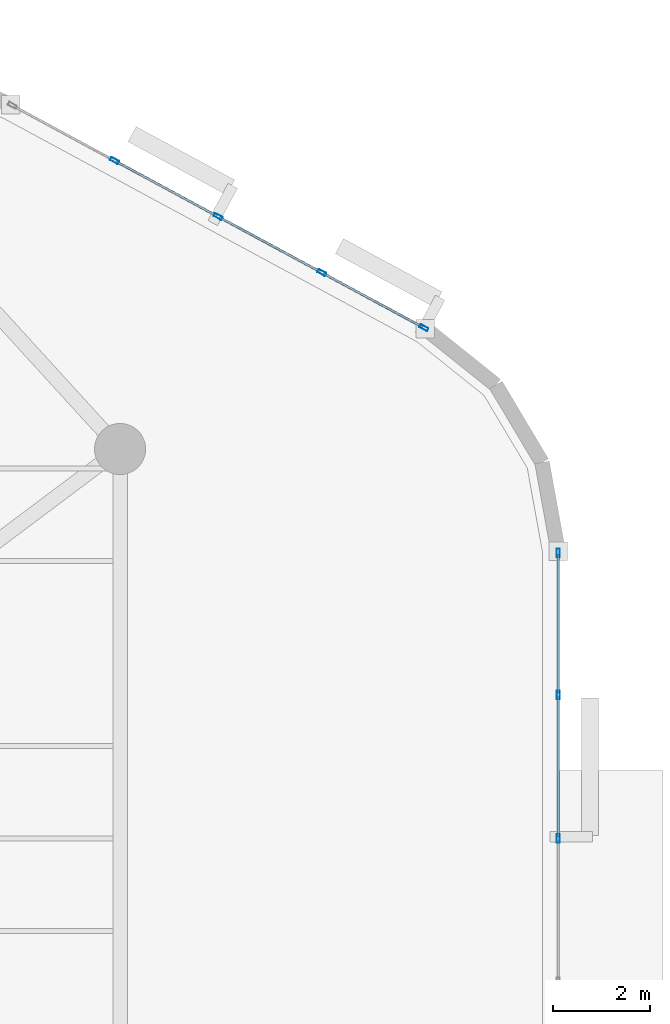
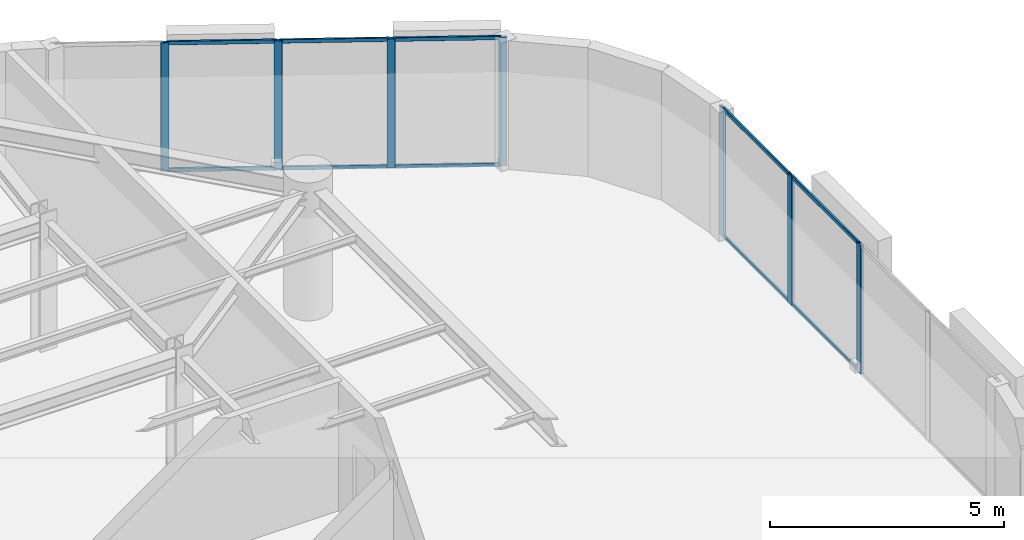
# One storey, part 6 of 13: 17 members, 2 elements without a shape of their own.
"""IFC4 building model written with IfcOpenShell, lengths in metres."""

from ifc_helpers import new_model, si_unit, direction, frame, origin, origin_2d, place, context, subcontext, project, spatial, hollow_rectangle, extrude, material, layer, layer_set, material_profile, profile_set, type_object, element, aggregate, save


model = new_model("IFC4")

# Units and contexts
model_context = context("Model", 3, precision=1e-05, world=origin(), true_north=direction((0.0, 1.0)))
body_context = subcontext(model_context, "Body", "Model", "MODEL_VIEW")
ifc_project = project(units=[si_unit("LENGTHUNIT", "METRE"), si_unit("AREAUNIT", "SQUARE_METRE"), si_unit("VOLUMEUNIT", "CUBIC_METRE"), si_unit("PLANEANGLEUNIT", "RADIAN"), si_unit("MASSUNIT", "GRAM", prefix="KILO")], contexts=[model_context])

# Site, building, storey
site_placement = place(None, origin())
site = spatial("IfcSite", under=ifc_project, at=site_placement, CompositionType="ELEMENT")
building_placement = place(site_placement, origin())
building = spatial("IfcBuilding", under=site, at=building_placement, Name="An Khanh Terracotta Commons", CompositionType="ELEMENT")
storey_placement = place(building_placement, frame((0.0, 0.0, 244.5)))
storey = spatial("IfcBuildingStorey", under=building, at=storey_placement, Name="L64", CompositionType="ELEMENT", Elevation=244.5)

# Curtain wall, members
ifc_material = material(Name="Anodised Aluminium 6063-T6", Category="aluminium")
ifc_layer = layer(ifc_material, 0.2099609375, Name="Anodised Aluminium 6063-T6")
ifc_layer_set = layer_set([ifc_layer], Name="Anodised Aluminium 6063-T6")
curtain_wall_type = type_object("IfcCurtainWallType", Name="CW-SYS-03", PredefinedType="USERDEFINED", material=ifc_layer_set)
curtain_wall_1_placement = place(storey_placement, origin())
curtain_wall_1 = element("IfcCurtainWall", 1, at=curtain_wall_1_placement, inside=storey, type_object=curtain_wall_type, Name="L64 CW-03 Unitised Curtain Wall CW-L64-12", ObjectType="UNITISED CURTAIN WALL", PredefinedType="USERDEFINED")
ifc_material_profile_1 = material_profile(ifc_material, hollow_rectangle(XDim=0.070068359375, YDim=0.179931640625, WallThickness=0.00390625, InnerFilletRadius=0.00390625, OuterFilletRadius=0.008056640625, at=origin_2d()), Name="RHS180x70x4")
ifc_profile_set_1 = profile_set([ifc_material_profile_1], Name="Anodised Aluminium 6063-T6")
member_type_1 = type_object("IfcMemberType", Name="CWM-RHS180x70x4", PredefinedType="MULLION", material=ifc_profile_set_1)
member_1_placement = place(storey_placement, frame((68.60009765625, 24.0, 0.0), z_axis=(0.0, 0.0, 1.0), x_axis=(-1.0, 0.0, 0.0)))
member_1 = element("IfcMember", 2, at=member_1_placement, type_object=member_type_1, Name="CW-03 mullion 3", PredefinedType="MULLION", context=body_context, shape_type="SweptSolid", body=[
    extrude(hollow_rectangle(XDim=0.070068359375, YDim=0.179931640625, WallThickness=0.00390625, InnerFilletRadius=0.00390625, OuterFilletRadius=0.008056640625, at=origin_2d()), origin(), (0.0, 0.0, 1.0), 3.360107421875),
])
member_2_placement = place(storey_placement, frame((68.60009765625, 26.949462890625, 0.0), z_axis=(0.0, 0.0, 1.0), x_axis=(-1.0, 0.0, 0.0)))
member_2 = element("IfcMember", 3, at=member_2_placement, type_object=member_type_1, Name="CW-03 mullion 4", PredefinedType="MULLION", context=body_context, shape_type="SweptSolid", body=[
    extrude(hollow_rectangle(XDim=0.070068359375, YDim=0.179931640625, WallThickness=0.00390625, InnerFilletRadius=0.00390625, OuterFilletRadius=0.008056640625, at=origin_2d()), origin(), (0.0, 0.0, 1.0), 3.360107421875),
])
member_3_placement = place(storey_placement, frame((68.60009765625, 29.864013671875, 0.0), z_axis=(0.0, 0.0, 1.0), x_axis=(-1.0, 0.0, 0.0)))
member_3 = element("IfcMember", 4, at=member_3_placement, type_object=member_type_1, Name="CW-03 mullion 5", PredefinedType="MULLION", context=body_context, shape_type="SweptSolid", body=[
    extrude(hollow_rectangle(XDim=0.070068359375, YDim=0.179931640625, WallThickness=0.00390625, InnerFilletRadius=0.00390625, OuterFilletRadius=0.008056640625, at=origin_2d()), origin(), (0.0, 0.0, 1.0), 3.360107421875),
])

curtain_wall_2_placement = place(storey_placement, origin())
curtain_wall_2 = element("IfcCurtainWall", 5, at=curtain_wall_2_placement, inside=storey, type_object=curtain_wall_type, Name="L64 CW-03 Unitised Curtain Wall CW-L64-16", ObjectType="UNITISED CURTAIN WALL", PredefinedType="USERDEFINED")
member_4_placement = place(storey_placement, frame((65.84130859375, 34.49072265625, 0.0), z_axis=(0.0, 0.0, 1.0), x_axis=(-0.47538088298, -0.879780095306, 0.0)))
member_4 = element("IfcMember", 6, at=member_4_placement, type_object=member_type_1, Name="CW-03 mullion 1", PredefinedType="MULLION", context=body_context, shape_type="SweptSolid", body=[
    extrude(hollow_rectangle(XDim=0.070068359375, YDim=0.179931640625, WallThickness=0.00390625, InnerFilletRadius=0.00390625, OuterFilletRadius=0.008056640625, at=origin_2d()), origin(), (0.0, 0.0, 1.0), 3.360107421875),
])
member_5_placement = place(storey_placement, frame((63.7431640625, 35.624267578125, 0.0), z_axis=(0.0, 0.0, 1.0), x_axis=(-0.47538088298, -0.879780095306, 0.0)))
member_5 = element("IfcMember", 7, at=member_5_placement, type_object=member_type_1, Name="CW-03 mullion 2", PredefinedType="MULLION", context=body_context, shape_type="SweptSolid", body=[
    extrude(hollow_rectangle(XDim=0.070068359375, YDim=0.179931640625, WallThickness=0.00390625, InnerFilletRadius=0.00390625, OuterFilletRadius=0.008056640625, at=origin_2d()), origin(), (0.0, 0.0, 1.0), 3.360107421875),
])
member_6_placement = place(storey_placement, frame((61.614501953125, 36.7744140625, 0.0), z_axis=(0.0, 0.0, 1.0), x_axis=(-0.47538088298, -0.879780095306, 0.0)))
member_6 = element("IfcMember", 8, at=member_6_placement, type_object=member_type_1, Name="CW-03 mullion 3", PredefinedType="MULLION", context=body_context, shape_type="SweptSolid", body=[
    extrude(hollow_rectangle(XDim=0.070068359375, YDim=0.179931640625, WallThickness=0.00390625, InnerFilletRadius=0.00390625, OuterFilletRadius=0.008056640625, at=origin_2d()), origin(), (0.0, 0.0, 1.0), 3.360107421875),
])
member_7_placement = place(storey_placement, frame((59.48583984375, 37.9248046875, 0.0), z_axis=(0.0, 0.0, 1.0), x_axis=(-0.47538088298, -0.879780095306, 0.0)))
member_7 = element("IfcMember", 9, at=member_7_placement, type_object=member_type_1, Name="CW-03 mullion 4", PredefinedType="MULLION", context=body_context, shape_type="SweptSolid", body=[
    extrude(hollow_rectangle(XDim=0.070068359375, YDim=0.179931640625, WallThickness=0.00390625, InnerFilletRadius=0.00390625, OuterFilletRadius=0.008056640625, at=origin_2d()), origin(), (0.0, 0.0, 1.0), 3.360107421875),
])

# Member
ifc_material_profile_2 = material_profile(ifc_material, hollow_rectangle(XDim=0.050048828125, YDim=0.10009765625, WallThickness=0.003173828125, InnerFilletRadius=0.003173828125, OuterFilletRadius=0.00634765625, at=origin_2d()), Name="RHS100x50x3.2")
ifc_profile_set_2 = profile_set([ifc_material_profile_2], Name="Anodised Aluminium 6063-T6")
member_type_2 = type_object("IfcMemberType", Name="CWT-RHS100x50x3.2", PredefinedType="USERDEFINED", material=ifc_profile_set_2)
member_8_placement = place(storey_placement, frame((68.60009765625, 24.034912109375, 0.02490234375), z_axis=(0.0, 1.0, 0.0), x_axis=(-1.0, 0.0, 0.0)))
member_8 = element("IfcMember", 10, at=member_8_placement, type_object=member_type_2, Name="CW-03 transom 3.1", ObjectType="TRANSOM", PredefinedType="USERDEFINED", context=body_context, shape_type="SweptSolid", body=[
    extrude(hollow_rectangle(XDim=0.050048828125, YDim=0.10009765625, WallThickness=0.003173828125, InnerFilletRadius=0.003173828125, OuterFilletRadius=0.00634765625, at=origin_2d()), origin(), (0.0, 0.0, 1.0), 2.879638671875),
])

member_9_placement = place(storey_placement, frame((68.60009765625, 24.034912109375, 3.3349609375), z_axis=(0.0, 1.0, 0.0), x_axis=(-1.0, 0.0, 0.0)))
member_9 = element("IfcMember", 11, at=member_9_placement, type_object=member_type_2, Name="CW-03 transom 3.2", ObjectType="TRANSOM", PredefinedType="USERDEFINED", context=body_context, shape_type="SweptSolid", body=[
    extrude(hollow_rectangle(XDim=0.050048828125, YDim=0.10009765625, WallThickness=0.003173828125, InnerFilletRadius=0.003173828125, OuterFilletRadius=0.00634765625, at=origin_2d()), origin(), (0.0, 0.0, 1.0), 2.879638671875),
])

member_10_placement = place(storey_placement, frame((68.60009765625, 26.984619140625, 0.02490234375), z_axis=(0.0, 1.0, 0.0), x_axis=(-1.0, 0.0, 0.0)))
member_10 = element("IfcMember", 12, at=member_10_placement, type_object=member_type_2, Name="CW-03 transom 4.1", ObjectType="TRANSOM", PredefinedType="USERDEFINED", context=body_context, shape_type="SweptSolid", body=[
    extrude(hollow_rectangle(XDim=0.050048828125, YDim=0.10009765625, WallThickness=0.003173828125, InnerFilletRadius=0.003173828125, OuterFilletRadius=0.00634765625, at=origin_2d()), origin(), (0.0, 0.0, 1.0), 2.844482421875),
])

member_11_placement = place(storey_placement, frame((68.60009765625, 26.984619140625, 3.3349609375), z_axis=(0.0, 1.0, 0.0), x_axis=(-1.0, 0.0, 0.0)))
member_11 = element("IfcMember", 13, at=member_11_placement, type_object=member_type_2, Name="CW-03 transom 4.2", ObjectType="TRANSOM", PredefinedType="USERDEFINED", context=body_context, shape_type="SweptSolid", body=[
    extrude(hollow_rectangle(XDim=0.050048828125, YDim=0.10009765625, WallThickness=0.003173828125, InnerFilletRadius=0.003173828125, OuterFilletRadius=0.00634765625, at=origin_2d()), origin(), (0.0, 0.0, 1.0), 2.844482421875),
])

aggregate(curtain_wall_1, [member_1, member_2, member_3, member_8, member_9, member_10, member_11])

member_12_placement = place(storey_placement, frame((65.810302734375, 34.50732421875, 0.02490234375), z_axis=(-0.879779245677, 0.475382455373, 0.0), x_axis=(-0.475382455373, -0.879779245677, 0.0)))
member_12 = element("IfcMember", 14, at=member_12_placement, type_object=member_type_2, Name="CW-03 transom 1.1", ObjectType="TRANSOM", PredefinedType="USERDEFINED", context=body_context, shape_type="SweptSolid", body=[
    extrude(hollow_rectangle(XDim=0.050048828125, YDim=0.10009765625, WallThickness=0.003173828125, InnerFilletRadius=0.003173828125, OuterFilletRadius=0.00634765625, at=origin_2d()), origin(), (0.0, 0.0, 1.0), 2.314697265625),
])

member_13_placement = place(storey_placement, frame((65.810302734375, 34.50732421875, 3.3349609375), z_axis=(-0.879779245677, 0.475382455373, 0.0), x_axis=(-0.475382455373, -0.879779245677, 0.0)))
member_13 = element("IfcMember", 15, at=member_13_placement, type_object=member_type_2, Name="CW-03 transom 1.2", ObjectType="TRANSOM", PredefinedType="USERDEFINED", context=body_context, shape_type="SweptSolid", body=[
    extrude(hollow_rectangle(XDim=0.050048828125, YDim=0.10009765625, WallThickness=0.003173828125, InnerFilletRadius=0.003173828125, OuterFilletRadius=0.00634765625, at=origin_2d()), origin(), (0.0, 0.0, 1.0), 2.314697265625),
])

member_14_placement = place(storey_placement, frame((63.71240234375, 35.640869140625, 0.02490234375), z_axis=(-0.879782861449, 0.475375763686, 0.0), x_axis=(-0.475375763686, -0.879782861449, 0.0)))
member_14 = element("IfcMember", 16, at=member_14_placement, type_object=member_type_2, Name="CW-03 transom 2.1", ObjectType="TRANSOM", PredefinedType="USERDEFINED", context=body_context, shape_type="SweptSolid", body=[
    extrude(hollow_rectangle(XDim=0.050048828125, YDim=0.10009765625, WallThickness=0.003173828125, InnerFilletRadius=0.003173828125, OuterFilletRadius=0.00634765625, at=origin_2d()), origin(), (0.0, 0.0, 1.0), 2.349609375),
])

member_15_placement = place(storey_placement, frame((63.71240234375, 35.640869140625, 3.3349609375), z_axis=(-0.879782861449, 0.475375763686, 0.0), x_axis=(-0.475375763686, -0.879782861449, 0.0)))
member_15 = element("IfcMember", 17, at=member_15_placement, type_object=member_type_2, Name="CW-03 transom 2.2", ObjectType="TRANSOM", PredefinedType="USERDEFINED", context=body_context, shape_type="SweptSolid", body=[
    extrude(hollow_rectangle(XDim=0.050048828125, YDim=0.10009765625, WallThickness=0.003173828125, InnerFilletRadius=0.003173828125, OuterFilletRadius=0.00634765625, at=origin_2d()), origin(), (0.0, 0.0, 1.0), 2.349609375),
])

member_16_placement = place(storey_placement, frame((61.583740234375, 36.791259765625, 0.02490234375), z_axis=(-0.879782861449, 0.475375763686, 0.0), x_axis=(-0.475375763686, -0.879782861449, 0.0)))
member_16 = element("IfcMember", 18, at=member_16_placement, type_object=member_type_2, Name="CW-03 transom 3.1", ObjectType="TRANSOM", PredefinedType="USERDEFINED", context=body_context, shape_type="SweptSolid", body=[
    extrude(hollow_rectangle(XDim=0.050048828125, YDim=0.10009765625, WallThickness=0.003173828125, InnerFilletRadius=0.003173828125, OuterFilletRadius=0.00634765625, at=origin_2d()), origin(), (0.0, 0.0, 1.0), 2.349609375),
])

member_17_placement = place(storey_placement, frame((61.583740234375, 36.791259765625, 3.3349609375), z_axis=(-0.879782861449, 0.475375763686, 0.0), x_axis=(-0.475375763686, -0.879782861449, 0.0)))
member_17 = element("IfcMember", 19, at=member_17_placement, type_object=member_type_2, Name="CW-03 transom 3.2", ObjectType="TRANSOM", PredefinedType="USERDEFINED", context=body_context, shape_type="SweptSolid", body=[
    extrude(hollow_rectangle(XDim=0.050048828125, YDim=0.10009765625, WallThickness=0.003173828125, InnerFilletRadius=0.003173828125, OuterFilletRadius=0.00634765625, at=origin_2d()), origin(), (0.0, 0.0, 1.0), 2.349609375),
])

aggregate(curtain_wall_2, [member_4, member_5, member_6, member_7, member_12, member_13, member_14, member_15, member_16, member_17])

save(model, "model.ifc")
